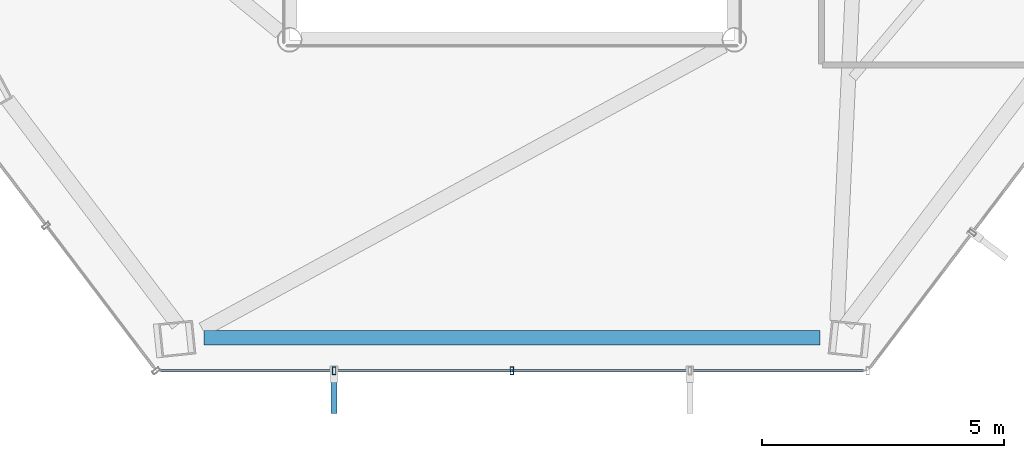
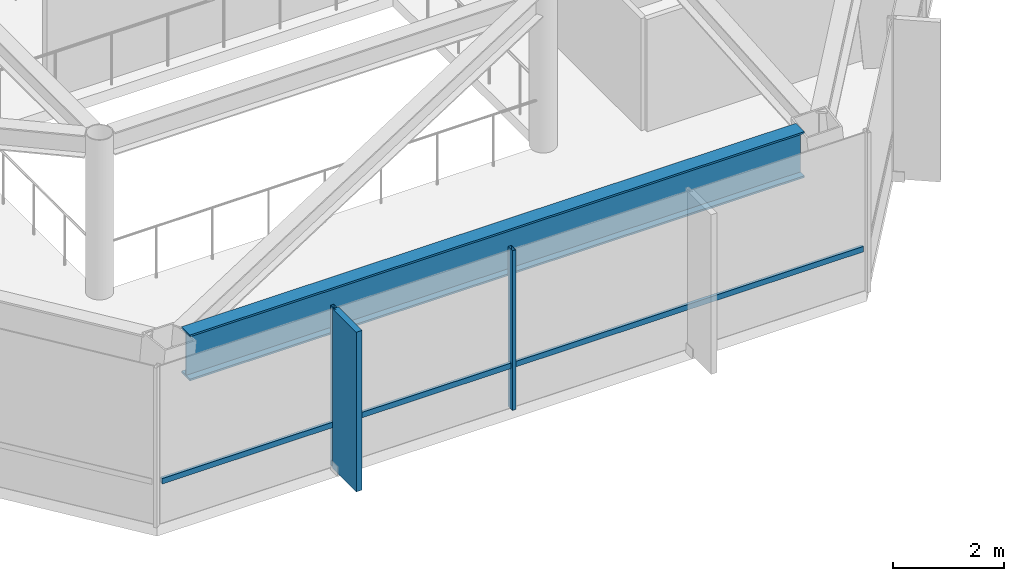
# One storey, part 6 of 27: 4 members, 1 beam, 1 element without a shape of its own.
"""IFC4 building model written with IfcOpenShell, lengths in metres."""

from ifc_helpers import new_model, si_unit, direction, frame, origin, origin_2d, place, context, subcontext, project, spatial, rectangle, hollow_rectangle, i_section, extrude, material, layer, layer_set, material_profile, profile_set, type_object, element, aggregate, save


model = new_model("IFC4")

# Units and contexts
model_context = context("Model", 3, precision=1e-05, world=origin(), true_north=direction((0.0, 1.0)))
body_context = subcontext(model_context, "Body", "Model", "MODEL_VIEW")
ifc_project = project(units=[si_unit("LENGTHUNIT", "METRE"), si_unit("AREAUNIT", "SQUARE_METRE"), si_unit("VOLUMEUNIT", "CUBIC_METRE"), si_unit("PLANEANGLEUNIT", "RADIAN"), si_unit("MASSUNIT", "GRAM", prefix="KILO")], contexts=[model_context])

# Site, building, storey
site_placement = place(None, origin())
site = spatial("IfcSite", under=ifc_project, at=site_placement, CompositionType="ELEMENT")
building_placement = place(site_placement, origin())
building = spatial("IfcBuilding", under=site, at=building_placement, Name="Zarrinselat Tower", CompositionType="ELEMENT")
storey_placement = place(building_placement, frame((0.0, 0.0, 183.260009765625)))
storey = spatial("IfcBuildingStorey", under=building, at=storey_placement, Name="L45", CompositionType="ELEMENT", Elevation=183.260009765625)

# Beam
ifc_material_1 = material(Name="Steel S460M", Category="steel")
ifc_material_profile_1 = material_profile(ifc_material_1, i_section(OverallWidth=0.302001953125, OverallDepth=1.008056640625, WebThickness=0.02099609375, FlangeThickness=0.0400390625, at=origin_2d()), Name="HEM 1000")
ifc_profile_set_1 = profile_set([ifc_material_profile_1], Name="Steel S460M")
beam_type = type_object("IfcBeamType", Name="BM-HEM1000", PredefinedType="BEAM", material=ifc_profile_set_1)
beam_placement = place(storey_placement, frame((32.030517578125, 18.2392578125, 2.99609375), z_axis=(1.0, 0.0, 0.0), x_axis=(0.0, 1.0, 0.0)))
element("IfcBeam", 1, at=beam_placement, inside=storey, type_object=beam_type, Name="L45 Perimeter Spandrel Girder SP10", PredefinedType="BEAM", context=body_context, shape_type="SweptSolid", body=[
    extrude(i_section(OverallWidth=0.302001953125, OverallDepth=1.008056640625, WebThickness=0.02099609375, FlangeThickness=0.0400390625, at=origin_2d()), origin(), (0.0, 0.0, 1.0), 12.739013671875),
])

# Curtain wall, members
ifc_material_2 = material(Name="Extruded Aluminium Alloy EN AW-6063 T6", Category="aluminium")
ifc_layer = layer(ifc_material_2, 0.175048828125)
ifc_layer_set = layer_set([ifc_layer], Name="Extruded Aluminium Alloy EN AW-6063 T6")
curtain_wall_type = type_object("IfcCurtainWallType", Name="CWS-HTL", PredefinedType="NOTDEFINED", material=ifc_layer_set)
curtain_wall_placement = place(storey_placement, origin())
curtain_wall = element("IfcCurtainWall", 2, at=curtain_wall_placement, inside=storey, type_object=curtain_wall_type, Name="L45 Unitised Curtain Wall CW-L45-E04", PredefinedType="NOTDEFINED")
ifc_material_3 = material(Name="Extruded Aluminium Alloy EN AW-6063 T6", Category="aluminium")
ifc_material_profile_2 = material_profile(ifc_material_3, hollow_rectangle(XDim=0.070068359375, YDim=0.159912109375, WallThickness=0.00390625, at=origin_2d()), Name="RHS 160x70x4")
ifc_profile_set_2 = profile_set([ifc_material_profile_2], Name="Extruded Aluminium Alloy EN AW-6063 T6")
member_type_1 = type_object("IfcMemberType", Name="MEM-CW-MUL2", PredefinedType="MULLION", material=ifc_profile_set_2)
member_1_placement = place(storey_placement, frame((34.720703125, 17.555419921875, 0.0), z_axis=(0.0, 0.0, 1.0), x_axis=(1.0, 0.0, 0.0)))
member_1 = element("IfcMember", 3, at=member_1_placement, type_object=member_type_1, Name="CW-L45-E04 Mullion 1", PredefinedType="MULLION", context=body_context, shape_type="SweptSolid", body=[
    extrude(hollow_rectangle(XDim=0.070068359375, YDim=0.159912109375, WallThickness=0.00390625, at=origin_2d()), origin(), (0.0, 0.0, 1.0), 3.5),
])
member_2_placement = place(storey_placement, frame((38.39990234375, 17.555419921875, 0.0), z_axis=(0.0, 0.0, 1.0), x_axis=(1.0, 0.0, 0.0)))
member_2 = element("IfcMember", 4, at=member_2_placement, type_object=member_type_1, Name="CW-L45-E04 Mullion 2", PredefinedType="MULLION", context=body_context, shape_type="SweptSolid", body=[
    extrude(hollow_rectangle(XDim=0.070068359375, YDim=0.159912109375, WallThickness=0.00390625, at=origin_2d()), origin(), (0.0, 0.0, 1.0), 3.5),
])
ifc_material_4 = material(Name="Extruded Aluminium Alloy EN AW-6063 T6", Category="aluminium")
ifc_material_profile_3 = material_profile(ifc_material_4, hollow_rectangle(XDim=0.06005859375, YDim=0.1201171875, WallThickness=0.00390625, at=origin_2d()), Name="RHS 120x60x4")
ifc_profile_set_3 = profile_set([ifc_material_profile_3], Name="Extruded Aluminium Alloy EN AW-6063 T6")
member_type_2 = type_object("IfcMemberType", Name="MEM-CW-TRN2", PredefinedType="USERDEFINED", material=ifc_profile_set_3)
member_3_placement = place(storey_placement, frame((31.131591796875, 17.555419921875, 0.949951171875), z_axis=(1.0, 0.0, 0.0), x_axis=(0.0, 1.0, 0.0)))
member_3 = element("IfcMember", 5, at=member_3_placement, type_object=member_type_2, Name="CW-L45-E04 Transom 1", ObjectType="TRANSOM", PredefinedType="USERDEFINED", context=body_context, shape_type="SweptSolid", body=[
    extrude(hollow_rectangle(XDim=0.06005859375, YDim=0.1201171875, WallThickness=0.00390625, at=origin_2d()), origin(), (0.0, 0.0, 1.0), 14.536865234375),
])
ifc_material_5 = material(Name="Honed Cream Travertine Stone", Category="masonry")
ifc_material_profile_4 = material_profile(ifc_material_5, rectangle(XDim=0.1201171875, YDim=0.85009765625, at=origin_2d()), Name="FIN 850x120")
ifc_profile_set_4 = profile_set([ifc_material_profile_4], Name="Honed Cream Travertine Stone")
member_type_3 = type_object("IfcMemberType", Name="MEM-STONE-FIN", PredefinedType="USERDEFINED", material=ifc_profile_set_4)
member_4_placement = place(storey_placement, frame((34.720703125, 17.09521484375, 0.0), z_axis=(0.0, 0.0, 1.0), x_axis=(-1.0, 0.0, 0.0)))
member_4 = element("IfcMember", 6, at=member_4_placement, type_object=member_type_3, Name="L45 Stone Shading Fin CW-L45-E04-01", ObjectType="FIN", PredefinedType="USERDEFINED", context=body_context, shape_type="SweptSolid", body=[
    extrude(rectangle(XDim=0.1201171875, YDim=0.85009765625, at=origin_2d()), origin(), (0.0, 0.0, 1.0), 3.5),
])
aggregate(curtain_wall, [member_1, member_4, member_2, member_3])

save(model, "model.ifc")
